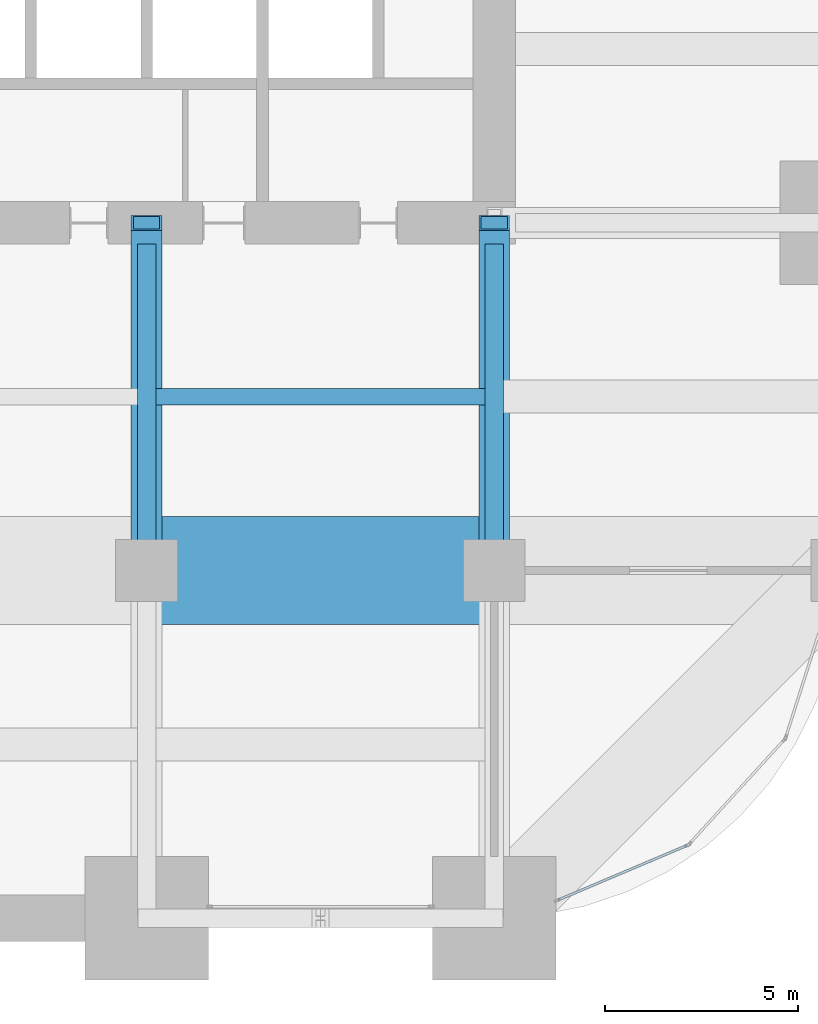
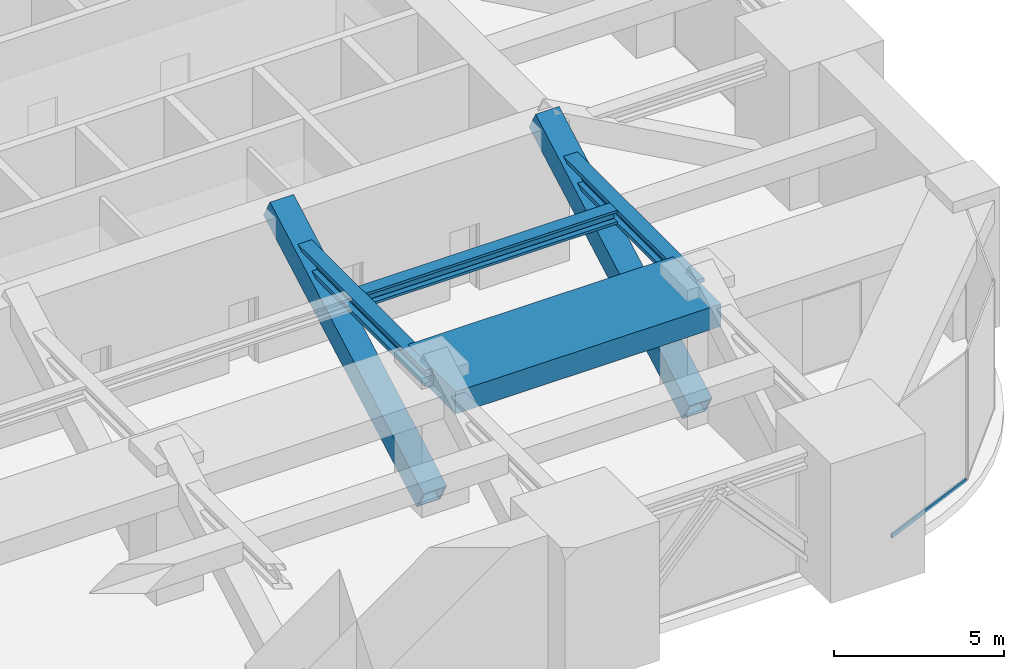
# One storey, part 10 of 32: 4 beams, 3 members, 1 element without a shape of its own.
"""IFC4 building model written with IfcOpenShell, lengths in metres."""

from ifc_helpers import new_model, si_unit, direction, frame, origin, origin_2d, place, context, subcontext, project, spatial, rectangle, hollow_rectangle, i_section, extrude, material, material_profile, profile_set, type_object, element, aggregate, save


model = new_model("IFC4")

# Units and contexts
model_context = context("Model", 3, precision=1e-05, world=origin(), true_north=direction((0.0, 1.0)))
body_context = subcontext(model_context, "Body", "Model", "MODEL_VIEW")
ifc_project = project(units=[si_unit("LENGTHUNIT", "METRE"), si_unit("AREAUNIT", "SQUARE_METRE"), si_unit("VOLUMEUNIT", "CUBIC_METRE"), si_unit("PLANEANGLEUNIT", "RADIAN"), si_unit("MASSUNIT", "GRAM", prefix="KILO")], contexts=[model_context])

# Site, building, storey
site_placement = place(None, origin())
site = spatial("IfcSite", under=ifc_project, at=site_placement, CompositionType="ELEMENT")
building_placement = place(site_placement, origin())
building = spatial("IfcBuilding", under=site, at=building_placement, Name="Zorevar Civic Tower", CompositionType="ELEMENT")
storey_placement = place(building_placement, frame((0.0, 0.0, 234.39990234375)))
storey = spatial("IfcBuildingStorey", under=building, at=storey_placement, Name="L57", CompositionType="ELEMENT", Elevation=234.39990234375)

# Beam
ifc_material_1 = material(Name="Concrete C50/60", Category="concrete")
ifc_material_profile_1 = material_profile(ifc_material_1, rectangle(XDim=2.800048828125, YDim=0.800048828125, at=origin_2d()), Name="RC 2800x800")
ifc_profile_set_1 = profile_set([ifc_material_profile_1], Name="Concrete C50/60")
beam_type_1 = type_object("IfcBeamType", Name="Beam RC 2800x800", PredefinedType="BEAM", material=ifc_profile_set_1)
beam_1_placement = place(storey_placement, frame((36.0, 9.0, 4.2001953125), z_axis=(1.0, 0.0, 0.0), x_axis=(0.0, 1.0, 0.0)))
element("IfcBeam", 1, at=beam_1_placement, inside=storey, type_object=beam_type_1, Name="Girder L58", PredefinedType="BEAM", context=body_context, shape_type="SweptSolid", body=[
    extrude(rectangle(XDim=2.800048828125, YDim=0.800048828125, at=origin_2d()), origin(), (0.0, 0.0, 1.0), 9.0),
])

# Curtain wall, member
ifc_material_2 = material(Name="Black aluminium louvres", Category="aluminium")
curtain_wall_type = type_object("IfcCurtainWallType", Name="Louvred curtain wall CW6 refuge", PredefinedType="NOTDEFINED", material=ifc_material_2)
curtain_wall_placement = place(storey_placement, origin())
curtain_wall = element("IfcCurtainWall", 2, at=curtain_wall_placement, inside=storey, type_object=curtain_wall_type, Name="CW6 L57", PredefinedType="NOTDEFINED")
ifc_material_3 = material(Name="Aluminium, black anodised", Category="aluminium")
ifc_material_profile_2 = material_profile(ifc_material_3, hollow_rectangle(XDim=0.06005859375, YDim=0.14990234375, WallThickness=0.00390625, at=origin_2d()), Name="AL 150x60x4")
ifc_profile_set_2 = profile_set([ifc_material_profile_2], Name="Aluminium, black anodised")
member_type_1 = type_object("IfcMemberType", Name="CW6 transom AL 150x60x4", PredefinedType="USERDEFINED", material=ifc_profile_set_2)
member_placement = place(storey_placement, frame((46.6552734375, 0.471923828125, 0.030029296875), z_axis=(0.920850301161, 0.389916302368, 0.0), x_axis=(-0.389916302368, 0.920850301161, 0.0)))
member = element("IfcMember", 3, at=member_placement, type_object=member_type_1, Name="CW6 sill transom", ObjectType="TRANSOM", PredefinedType="USERDEFINED", context=body_context, shape_type="SweptSolid", body=[
    extrude(hollow_rectangle(XDim=0.06005859375, YDim=0.14990234375, WallThickness=0.00390625, at=origin_2d()), origin(), (0.0, 0.0, 1.0), 3.602783203125),
])
aggregate(curtain_wall, [member])

# Beams
ifc_material_4 = material(Name="Steel S460M (HISTAR 460)", Category="steel")
ifc_material_profile_3 = material_profile(ifc_material_4, i_section(OverallWidth=0.431884765625, OverallDepth=0.498046875, WebThickness=0.0556640625, FlangeThickness=0.0888671875, FilletRadius=0.014892578125, at=origin_2d()), Name="HD 400x744")
ifc_profile_set_3 = profile_set([ifc_material_profile_3], Name="Steel S460M (HISTAR 460)")
beam_type_2 = type_object("IfcBeamType", Name="Core bay beam HD 400x744", PredefinedType="BEAM", material=ifc_profile_set_3)
beam_2_placement = place(storey_placement, frame((36.238037109375, 13.5, 4.35107421875), z_axis=(1.0, 0.0, 0.0), x_axis=(0.0, 1.0, 0.0)))
element("IfcBeam", 4, at=beam_2_placement, inside=storey, type_object=beam_type_2, Name="Secondary beam L58", PredefinedType="BEAM", context=body_context, shape_type="SweptSolid", body=[
    extrude(i_section(OverallWidth=0.431884765625, OverallDepth=0.498046875, WebThickness=0.0556640625, FlangeThickness=0.0888671875, FilletRadius=0.014892578125, at=origin_2d()), origin(), (0.0, 0.0, 1.0), 8.52392578125),
])
ifc_material_5 = material(Name="Steel S460M (HISTAR 460)", Category="steel")
ifc_material_profile_4 = material_profile(ifc_material_5, i_section(OverallWidth=0.47607421875, OverallDepth=0.60009765625, WebThickness=0.10009765625, FlangeThickness=0.139892578125, FilletRadius=0.014892578125, at=origin_2d()), Name="HD 400x1299")
ifc_profile_set_4 = profile_set([ifc_material_profile_4], Name="Steel S460M (HISTAR 460)")
beam_type_3 = type_object("IfcBeamType", Name="Outrigger chord HD 400x1299", PredefinedType="BEAM", material=ifc_profile_set_4)
for number, where, z_axis, x_axis, name in (
    (5, (36.0, 9.0, 4.300048828125), (0.0, 1.0, 0.0), (-1.0, 0.0, 0.0), "Outrigger chord L58"),
    (6, (45.0, 9.0, 4.300048828125), (0.0, 1.0, 0.0), (-1.0, 0.0, 0.0), "Outrigger chord L58"),
):
    element("IfcBeam", number, at=place(storey_placement, frame(where, z_axis=z_axis, x_axis=x_axis)), inside=storey, type_object=beam_type_3, Name=name, PredefinedType="BEAM", context=body_context, shape_type="SweptSolid", body=[
        extrude(i_section(OverallWidth=0.47607421875, OverallDepth=0.60009765625, WebThickness=0.10009765625, FlangeThickness=0.139892578125, FilletRadius=0.014892578125, at=origin_2d()), origin(), (0.0, 0.0, 1.0), 8.449951171875),
    ])

# Members
ifc_material_6 = material(Name="Steel S460M (HISTAR 460)", Category="steel")
ifc_material_profile_5 = material_profile(ifc_material_6, hollow_rectangle(XDim=0.800048828125, YDim=0.800048828125, WallThickness=0.06005859375, at=origin_2d()), Name="BOX 800x800x60")
ifc_profile_set_5 = profile_set([ifc_material_profile_5], Name="Steel S460M (HISTAR 460)")
member_type_2 = type_object("IfcMemberType", Name="Outrigger diagonal BOX 800x800x60", PredefinedType="BRACE", material=ifc_profile_set_5)
for number, where, z_axis, x_axis, name in (
    (7, (36.0, 18.0, 5.0), (0.0, -0.874157276122, -0.485642931179), (1.0, 0.0, 0.0), "Outrigger diagonal S L57"),
    (8, (45.0, 18.0, 5.0), (0.0, -0.874157276122, -0.485642931179), (1.0, 0.0, 0.0), "Outrigger diagonal S L57"),
):
    element("IfcMember", number, at=place(storey_placement, frame(where, z_axis=z_axis, x_axis=x_axis)), inside=storey, type_object=member_type_2, Name=name, PredefinedType="BRACE", context=body_context, shape_type="SweptSolid", body=[
        extrude(hollow_rectangle(XDim=0.800048828125, YDim=0.800048828125, WallThickness=0.06005859375, at=origin_2d()), origin(), (0.0, 0.0, 1.0), 10.295654296875),
    ])

save(model, "model.ifc")
